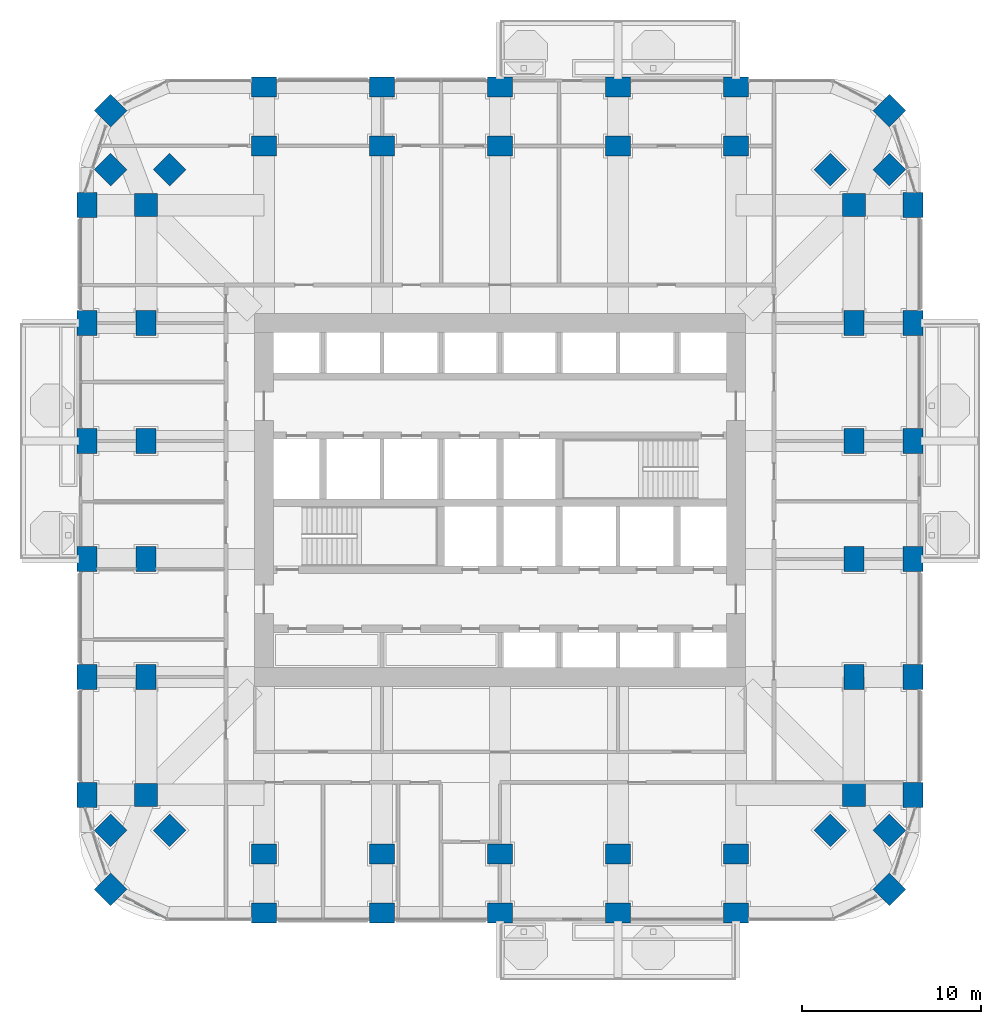
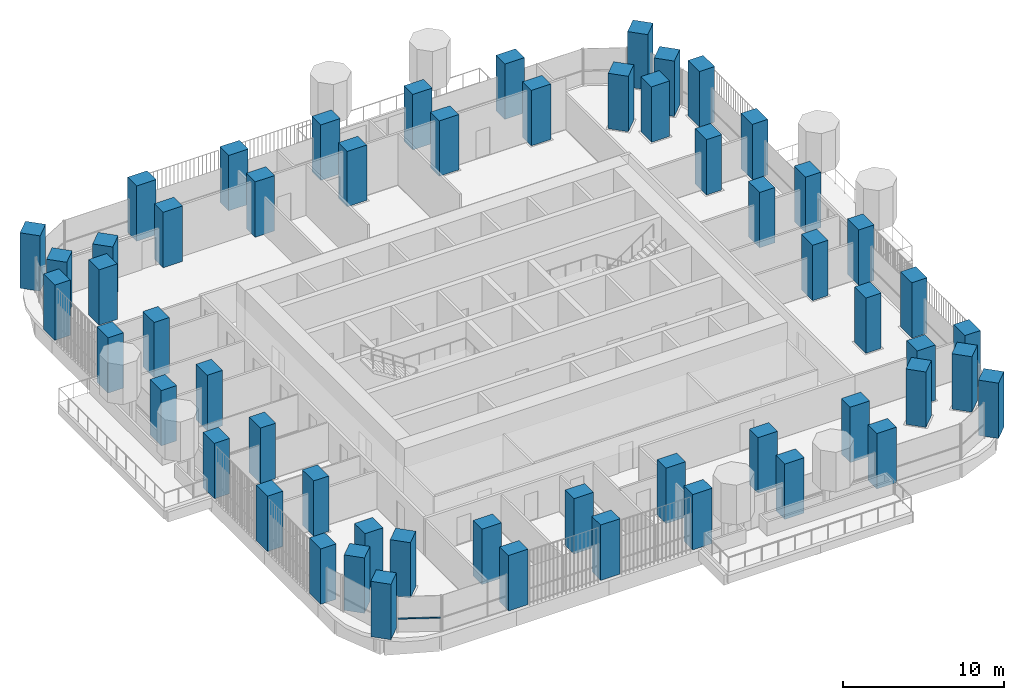
# One storey, part 1 of 22: 56 columns, 1 member, 1 element without a shape of its own.
"""IFC4 building model written with IfcOpenShell, lengths in metres."""

from ifc_helpers import new_model, si_unit, direction, frame, origin, origin_2d, place, context, subcontext, project, spatial, rectangle, extrude, material, material_profile, profile_set, type_object, element, aggregate, save


model = new_model("IFC4")

# Units and contexts
model_context = context("Model", 3, precision=1e-05, world=origin(), true_north=direction((0.0, 1.0)))
body_context = subcontext(model_context, "Body", "Model", "MODEL_VIEW")
ifc_project = project(units=[si_unit("LENGTHUNIT", "METRE"), si_unit("AREAUNIT", "SQUARE_METRE"), si_unit("VOLUMEUNIT", "CUBIC_METRE"), si_unit("PLANEANGLEUNIT", "RADIAN"), si_unit("MASSUNIT", "GRAM", prefix="KILO")], contexts=[model_context])

# Site, building, storey
site_placement = place(None, origin())
site = spatial("IfcSite", under=ifc_project, at=site_placement, CompositionType="ELEMENT")
building_placement = place(site_placement, origin())
building = spatial("IfcBuilding", under=site, at=building_placement, Name="Cobogo Forest Laboratory Tower", CompositionType="ELEMENT")
storey_placement = place(building_placement, frame((0.0, 0.0, 111.60009765625)))
storey = spatial("IfcBuildingStorey", under=building, at=storey_placement, Name="L25", CompositionType="ELEMENT", Elevation=111.60009765625)

# Columns
ifc_material_1 = material(Name="Concrete HA-50 (C50/60)", Category="concrete")
ifc_material_profile_1 = material_profile(ifc_material_1, rectangle(XDim=1.39990234375, YDim=1.10009765625, at=origin_2d()), Name="RC 1100x1400")
ifc_profile_set_1 = profile_set([ifc_material_profile_1], Name="Concrete HA-50 (C50/60)")
column_type_1 = type_object("IfcColumnType", Name="Blade column 1100x1400", PredefinedType="COLUMN", material=ifc_profile_set_1)
for number, where, z_axis, x_axis, name in (
    (1, (13.199951171875, 0.0, 0.0), (0.0, 0.0, 1.0), (1.0, 0.0, 0.0), "Column 3-A L25"),
    (2, (19.800048828125, 0.0, 0.0), (0.0, 0.0, 1.0), (1.0, 0.0, 0.0), "Column 4-A L25"),
    (3, (26.39990234375, 0.0, 0.0), (0.0, 0.0, 1.0), (1.0, 0.0, 0.0), "Column 5-A L25"),
    (4, (33.0, 0.0, 0.0), (0.0, 0.0, 1.0), (1.0, 0.0, 0.0), "Column 6-A L25"),
    (5, (39.60009765625, 0.0, 0.0), (0.0, 0.0, 1.0), (1.0, 0.0, 0.0), "Column 7-A L25"),
    (6, (3.300048828125, 6.60009765625, 0.0), (0.0, 0.0, 1.0), (0.0, 1.0, 0.0), "Column 1.1-B L25"),
    (7, (49.5, 6.60009765625, 0.0), (0.0, 0.0, 1.0), (0.0, 1.0, 0.0), "Column 8.1-B L25"),
    (8, (3.300048828125, 13.199951171875, 0.0), (0.0, 0.0, 1.0), (0.0, 1.0, 0.0), "Column 1.1-C L25"),
    (9, (49.5, 13.199951171875, 0.0), (0.0, 0.0, 1.0), (0.0, 1.0, 0.0), "Column 8.1-C L25"),
    (10, (3.300048828125, 19.800048828125, 0.0), (0.0, 0.0, 1.0), (0.0, 1.0, 0.0), "Column 1.1-D L25"),
    (11, (49.5, 19.800048828125, 0.0), (0.0, 0.0, 1.0), (0.0, 1.0, 0.0), "Column 8.1-D L25"),
    (12, (3.300048828125, 26.39990234375, 0.0), (0.0, 0.0, 1.0), (0.0, 1.0, 0.0), "Column 1.1-E L25"),
    (13, (49.5, 26.39990234375, 0.0), (0.0, 0.0, 1.0), (0.0, 1.0, 0.0), "Column 8.1-E L25"),
    (14, (3.300048828125, 33.0, 0.0), (0.0, 0.0, 1.0), (0.0, 1.0, 0.0), "Column 1.1-F L25"),
    (15, (49.5, 33.0, 0.0), (0.0, 0.0, 1.0), (0.0, 1.0, 0.0), "Column 8.1-F L25"),
    (16, (3.300048828125, 39.60009765625, 0.0), (0.0, 0.0, 1.0), (0.0, 1.0, 0.0), "Column 1.1-G L25"),
    (17, (49.5, 39.60009765625, 0.0), (0.0, 0.0, 1.0), (0.0, 1.0, 0.0), "Column 8.1-G L25"),
    (18, (13.199951171875, 46.199951171875, 0.0), (0.0, 0.0, 1.0), (1.0, 0.0, 0.0), "Column 3-H L25"),
    (19, (19.800048828125, 46.199951171875, 0.0), (0.0, 0.0, 1.0), (1.0, 0.0, 0.0), "Column 4-H L25"),
    (20, (26.39990234375, 46.199951171875, 0.0), (0.0, 0.0, 1.0), (1.0, 0.0, 0.0), "Column 5-H L25"),
    (21, (33.0, 46.199951171875, 0.0), (0.0, 0.0, 1.0), (1.0, 0.0, 0.0), "Column 6-H L25"),
    (22, (39.60009765625, 46.199951171875, 0.0), (0.0, 0.0, 1.0), (1.0, 0.0, 0.0), "Column 7-H L25"),
    (23, (13.199951171875, 3.300048828125, 0.0), (0.0, 0.0, 1.0), (1.0, 0.0, 0.0), "Column 3-A.1-C L25"),
    (24, (19.800048828125, 3.300048828125, 0.0), (0.0, 0.0, 1.0), (1.0, 0.0, 0.0), "Column 4-A.1-C L25"),
    (25, (26.39990234375, 3.300048828125, 0.0), (0.0, 0.0, 1.0), (1.0, 0.0, 0.0), "Column 5-A.1-C L25"),
    (26, (33.0, 3.300048828125, 0.0), (0.0, 0.0, 1.0), (1.0, 0.0, 0.0), "Column 6-A.1-C L25"),
    (27, (39.60009765625, 3.300048828125, 0.0), (0.0, 0.0, 1.0), (1.0, 0.0, 0.0), "Column 7-A.1-C L25"),
    (28, (13.199951171875, 42.89990234375, 0.0), (0.0, 0.0, 1.0), (1.0, 0.0, 0.0), "Column 3-G.1-C L25"),
    (29, (19.800048828125, 42.89990234375, 0.0), (0.0, 0.0, 1.0), (1.0, 0.0, 0.0), "Column 4-G.1-C L25"),
    (30, (26.39990234375, 42.89990234375, 0.0), (0.0, 0.0, 1.0), (1.0, 0.0, 0.0), "Column 5-G.1-C L25"),
    (31, (33.0, 42.89990234375, 0.0), (0.0, 0.0, 1.0), (1.0, 0.0, 0.0), "Column 6-G.1-C L25"),
    (32, (39.60009765625, 42.89990234375, 0.0), (0.0, 0.0, 1.0), (1.0, 0.0, 0.0), "Column 7-G.1-C L25"),
    (33, (6.60009765625, 13.199951171875, 0.0), (0.0, 0.0, 1.0), (0.0, 1.0, 0.0), "Column 2-C-D L25"),
    (34, (46.199951171875, 13.199951171875, 0.0), (0.0, 0.0, 1.0), (0.0, 1.0, 0.0), "Column 8-C-D L25"),
    (35, (6.60009765625, 19.800048828125, 0.0), (0.0, 0.0, 1.0), (0.0, 1.0, 0.0), "Column 2-D-D L25"),
    (36, (46.199951171875, 19.800048828125, 0.0), (0.0, 0.0, 1.0), (0.0, 1.0, 0.0), "Column 8-D-D L25"),
    (37, (6.60009765625, 26.39990234375, 0.0), (0.0, 0.0, 1.0), (0.0, 1.0, 0.0), "Column 2-E-D L25"),
    (38, (46.199951171875, 26.39990234375, 0.0), (0.0, 0.0, 1.0), (0.0, 1.0, 0.0), "Column 8-E-D L25"),
    (39, (6.60009765625, 33.0, 0.0), (0.0, 0.0, 1.0), (0.0, 1.0, 0.0), "Column 2-F-D L25"),
    (40, (46.199951171875, 33.0, 0.0), (0.0, 0.0, 1.0), (0.0, 1.0, 0.0), "Column 8-F-D L25"),
):
    element("IfcColumn", number, at=place(storey_placement, frame(where, z_axis=z_axis, x_axis=x_axis)), inside=storey, type_object=column_type_1, Name=name, PredefinedType="COLUMN", context=body_context, shape_type="SweptSolid", body=[
        extrude(rectangle(XDim=1.39990234375, YDim=1.10009765625, at=origin_2d()), origin(), (0.0, 0.0, 1.0), 4.199951171875),
    ])
ifc_material_profile_2 = material_profile(ifc_material_1, rectangle(XDim=1.300048828125, YDim=1.300048828125, at=origin_2d()), Name="RC 1300x1300")
ifc_profile_set_2 = profile_set([ifc_material_profile_2], Name="Concrete HA-50 (C50/60)")
column_type_2 = type_object("IfcColumnType", Name="Column 1300x1300", PredefinedType="COLUMN", material=ifc_profile_set_2)
for number, where, z_axis, x_axis, name in (
    (41, (4.617919921875, 1.318115234375, 0.0), (0.0, 0.0, 1.0), (0.707106781187, 0.707106781187, 0.0), "Column CNR-SW L25"),
    (42, (48.181884765625, 1.318115234375, 0.0), (0.0, 0.0, 1.0), (0.707106781187, 0.707106781187, 0.0), "Column CNR-SE L25"),
    (43, (4.617919921875, 44.882080078125, 0.0), (0.0, 0.0, 1.0), (0.707106781187, 0.707106781187, 0.0), "Column CNR-NW L25"),
    (44, (48.181884765625, 44.882080078125, 0.0), (0.0, 0.0, 1.0), (0.707106781187, 0.707106781187, 0.0), "Column CNR-NE L25"),
    (45, (6.60009765625, 6.60009765625, 0.0), (0.0, 0.0, 1.0), (1.0, 0.0, 0.0), "Column 2-B L25"),
    (46, (46.199951171875, 6.60009765625, 0.0), (0.0, 0.0, 1.0), (1.0, 0.0, 0.0), "Column 8-B L25"),
    (47, (6.60009765625, 39.60009765625, 0.0), (0.0, 0.0, 1.0), (1.0, 0.0, 0.0), "Column 2-G L25"),
    (48, (46.199951171875, 39.60009765625, 0.0), (0.0, 0.0, 1.0), (1.0, 0.0, 0.0), "Column 8-G L25"),
    (49, (4.617919921875, 4.617919921875, 0.0), (0.0, 0.0, 1.0), (0.707106781187, 0.707106781187, 0.0), "Column CNR-SW-C L25"),
    (50, (48.181884765625, 4.617919921875, 0.0), (0.0, 0.0, 1.0), (0.707106781187, 0.707106781187, 0.0), "Column CNR-SE-C L25"),
    (51, (4.617919921875, 41.58203125, 0.0), (0.0, 0.0, 1.0), (0.707106781187, 0.707106781187, 0.0), "Column CNR-NW-C L25"),
    (52, (48.181884765625, 41.58203125, 0.0), (0.0, 0.0, 1.0), (0.707106781187, 0.707106781187, 0.0), "Column CNR-NE-C L25"),
    (53, (7.91796875, 4.617919921875, 0.0), (0.0, 0.0, 1.0), (0.707106781187, 0.707106781187, 0.0), "Column CNR-SW-D L25"),
    (54, (44.882080078125, 4.617919921875, 0.0), (0.0, 0.0, 1.0), (0.707106781187, 0.707106781187, 0.0), "Column CNR-SE-D L25"),
    (55, (7.91796875, 41.58203125, 0.0), (0.0, 0.0, 1.0), (0.707106781187, 0.707106781187, 0.0), "Column CNR-NW-D L25"),
    (56, (44.882080078125, 41.58203125, 0.0), (0.0, 0.0, 1.0), (0.707106781187, 0.707106781187, 0.0), "Column CNR-NE-D L25"),
):
    element("IfcColumn", number, at=place(storey_placement, frame(where, z_axis=z_axis, x_axis=x_axis)), inside=storey, type_object=column_type_2, Name=name, PredefinedType="COLUMN", context=body_context, shape_type="SweptSolid", body=[
        extrude(rectangle(XDim=1.300048828125, YDim=1.300048828125, at=origin_2d()), origin(), (0.0, 0.0, 1.0), 4.199951171875),
    ])

# Curtain wall, member
ifc_material_2 = material(Name="Aluminium curtain wall", Category="aluminium")
curtain_wall_type = type_object("IfcCurtainWallType", Name="CW-1 unitised curtain wall, clear glazing, laboratory floors zones A and B", PredefinedType="USERDEFINED", material=ifc_material_2)
curtain_wall_placement = place(storey_placement, origin())
curtain_wall = element("IfcCurtainWall", 57, at=curtain_wall_placement, inside=storey, type_object=curtain_wall_type, Name="Curtain wall 34 L25", ObjectType="UNITISED CURTAIN WALL", PredefinedType="USERDEFINED")
ifc_material_3 = material(Name="Aluminium transom", Category="aluminium")
ifc_material_profile_3 = material_profile(ifc_material_3, rectangle(XDim=0.1201171875, YDim=0.06005859375, at=origin_2d()), Name="AL 60x120")
ifc_profile_set_3 = profile_set([ifc_material_profile_3], Name="Aluminium transom")
member_type = type_object("IfcMemberType", Name="TR-1 aluminium transom 60x120", PredefinedType="USERDEFINED", material=ifc_profile_set_3)
member_placement = place(storey_placement, frame((5.394775390625, 0.910888671875, 1.0498046875), z_axis=(0.885694740493, -0.464268054753, 0.0), x_axis=(0.464268054753, 0.885694740493, 0.0)))
member = element("IfcMember", 58, at=member_placement, type_object=member_type, Name="CW-1 transom 1.1", ObjectType="TRANSOM", PredefinedType="USERDEFINED", context=body_context, shape_type="SweptSolid", body=[
    extrude(rectangle(XDim=0.1201171875, YDim=0.06005859375, at=origin_2d()), origin(), (0.0, 0.0, 1.0), 2.655517578125),
])
aggregate(curtain_wall, [member])

save(model, "model.ifc")
